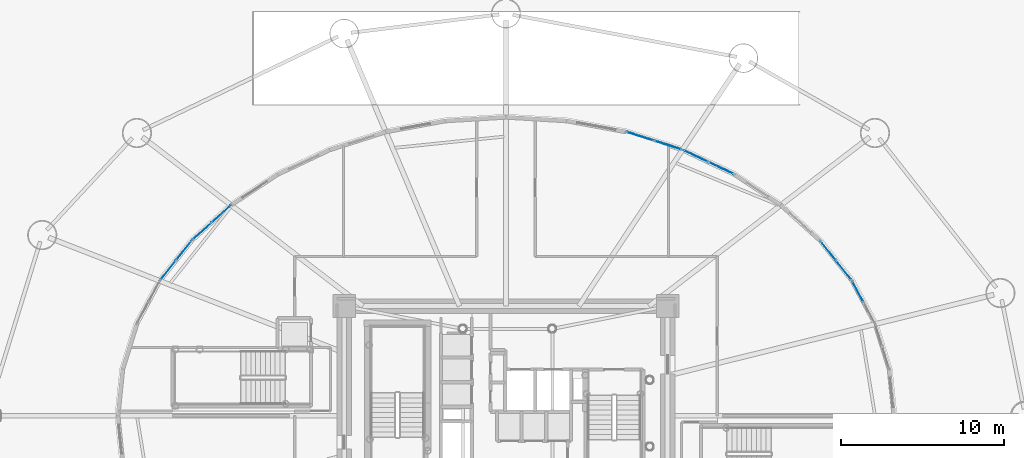
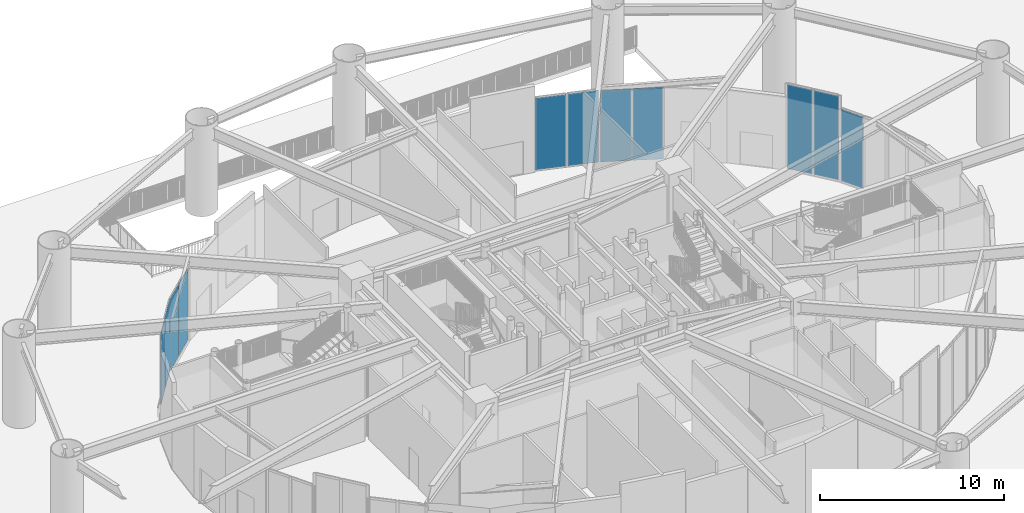
# One storey, part 27 of 46: 11 plates, 6 elements without a shape of their own.
"""IFC4 building model written with IfcOpenShell, lengths in metres."""

from ifc_helpers import new_model, si_unit, direction, frame, origin, origin_2d, place, context, subcontext, project, spatial, rectangle, extrude, source, transform, mapped, material, layer, layer_set, type_object, element, aggregate, save


model = new_model("IFC4")

# Units and contexts
model_context = context("Model", 3, precision=1e-05, world=origin(), true_north=direction((0.0, 1.0)))
body_context = subcontext(model_context, "Body", "Model", "MODEL_VIEW")
ifc_project = project(units=[si_unit("LENGTHUNIT", "METRE"), si_unit("AREAUNIT", "SQUARE_METRE"), si_unit("VOLUMEUNIT", "CUBIC_METRE"), si_unit("PLANEANGLEUNIT", "RADIAN"), si_unit("MASSUNIT", "GRAM", prefix="KILO")], contexts=[model_context])

# Site, building, storey
site_placement = place(None, origin())
site = spatial("IfcSite", under=ifc_project, at=site_placement, CompositionType="ELEMENT")
building_placement = place(site_placement, origin())
building = spatial("IfcBuilding", under=site, at=building_placement, Name="Linh Dai School and Residence Tower", CompositionType="ELEMENT")
storey_placement = place(building_placement, origin())
storey = spatial("IfcBuildingStorey", under=building, at=storey_placement, Name="L00", CompositionType="ELEMENT", Elevation=0.0)

# Curtain wall, plate
ifc_material_1 = material(Name="Aluminium Anodised Curtain Wall", Category="aluminium")
ifc_layer_1 = layer(ifc_material_1, 0.179931640625)
ifc_layer_set_1 = layer_set([ifc_layer_1], Name="Aluminium Anodised Curtain Wall")
curtain_wall_type = type_object("IfcCurtainWallType", Name="CW-SYS-1", PredefinedType="USERDEFINED", material=ifc_layer_set_1)
curtain_wall_1_placement = place(storey_placement, origin())
curtain_wall_1 = element("IfcCurtainWall", 1, at=curtain_wall_1_placement, inside=storey, type_object=curtain_wall_type, Name="L00 CW1 Curtain Wall 03", ObjectType="UNITISED CURTAIN WALL", PredefinedType="USERDEFINED")
ifc_material_2 = material(Name="Double Low-E Insulated Glazing", Category="glass")
ifc_layer_2 = layer(ifc_material_2, 0.031982421875)
ifc_layer_set_2 = layer_set([ifc_layer_2], Name="Double Low-E Insulated Glazing")
plate_type = type_object("IfcPlateType", Name="CW-SYS-1-PAN", PredefinedType="CURTAIN_PANEL", material=ifc_layer_set_2)
shared_shape_1 = source(origin(), body_context, "Body", "SweptSolid", [
    extrude(rectangle(XDim=1.413330078125, YDim=0.031982421875, at=origin_2d()), origin(), (0.0, 0.0, 1.0), 4.7548828125),
])
plate_1_placement = place(storey_placement, frame((57.645263671875, 34.650146484375, 0.06494140625), z_axis=(0.0, 0.0, 1.0), x_axis=(0.473355424568, -0.880871524135, 0.0)))
plate_1 = element("IfcPlate", 2, at=plate_1_placement, type_object=plate_type, Name="CW1 panel 1.1", PredefinedType="CURTAIN_PANEL", context=body_context, shape_type="MappedRepresentation", body=[
    mapped(shared_shape_1, transform((0.0, 0.0, 0.0), x_axis=(1.0, 0.0, 0.0), y_axis=(0.0, 1.0, 0.0), z_axis=(0.0, 0.0, 1.0), scale=1.0)),
])
aggregate(curtain_wall_1, [plate_1])

# Curtain wall, plates
curtain_wall_2_placement = place(storey_placement, origin())
curtain_wall_2 = element("IfcCurtainWall", 3, at=curtain_wall_2_placement, inside=storey, type_object=curtain_wall_type, Name="L00 CW1 Curtain Wall 04", ObjectType="UNITISED CURTAIN WALL", PredefinedType="USERDEFINED")
shared_shape_2 = source(origin(), body_context, "Body", "SweptSolid", [
    extrude(rectangle(XDim=1.472900390625, YDim=0.031982421875, at=origin_2d()), origin(), (0.0, 0.0, 1.0), 5.570068359375),
])
plate_2_placement = place(storey_placement, frame((55.82421875, 37.160888671875, 0.06494140625), z_axis=(0.0, 0.0, 1.0), x_axis=(0.622307564098, -0.782772825069, 0.0)))
plate_2 = element("IfcPlate", 4, at=plate_2_placement, type_object=plate_type, Name="CW1 panel 1.1", PredefinedType="CURTAIN_PANEL", context=body_context, shape_type="MappedRepresentation", body=[
    mapped(shared_shape_2, transform((0.0, 0.0, 0.0), x_axis=(1.0, 0.0, 0.0), y_axis=(0.0, 1.0, 0.0), z_axis=(0.0, 0.0, 1.0), scale=1.0)),
])
plate_3_placement = place(storey_placement, frame((56.78125, 35.957275390625, 0.06494140625), z_axis=(0.0, 0.0, 1.0), x_axis=(0.622307564098, -0.782772825069, 0.0)))
plate_3 = element("IfcPlate", 5, at=plate_3_placement, type_object=plate_type, Name="CW1 panel 2.1", PredefinedType="CURTAIN_PANEL", context=body_context, shape_type="MappedRepresentation", body=[
    mapped(shared_shape_2, transform((0.0, 0.0, 0.0), x_axis=(1.0, 0.0, 0.0), y_axis=(0.0, 1.0, 0.0), z_axis=(0.0, 0.0, 1.0), scale=1.0)),
])
aggregate(curtain_wall_2, [plate_2, plate_3])

curtain_wall_3_placement = place(storey_placement, origin())
curtain_wall_3 = element("IfcCurtainWall", 6, at=curtain_wall_3_placement, inside=storey, type_object=curtain_wall_type, Name="L00 CW1 Curtain Wall 07", ObjectType="UNITISED CURTAIN WALL", PredefinedType="USERDEFINED")
shared_shape_3 = source(origin(), body_context, "Body", "SweptSolid", [
    extrude(rectangle(XDim=1.669677734375, YDim=0.031982421875, at=origin_2d()), origin(), (0.0, 0.0, 1.0), 4.7548828125),
])
plate_4_placement = place(storey_placement, frame((47.66357421875, 42.98291015625, 0.06494140625), z_axis=(0.0, 0.0, 1.0), x_axis=(0.904200631781, -0.427107969356, 0.0)))
plate_4 = element("IfcPlate", 7, at=plate_4_placement, type_object=plate_type, Name="CW1 panel 1.1", PredefinedType="CURTAIN_PANEL", context=body_context, shape_type="MappedRepresentation", body=[
    mapped(shared_shape_3, transform((0.0, 0.0, 0.0), x_axis=(1.0, 0.0, 0.0), y_axis=(0.0, 1.0, 0.0), z_axis=(0.0, 0.0, 1.0), scale=1.0)),
])
plate_5_placement = place(storey_placement, frame((49.232177734375, 42.2421875, 0.06494140625), z_axis=(0.0, 0.0, 1.0), x_axis=(0.904200631781, -0.427107969356, 0.0)))
plate_5 = element("IfcPlate", 8, at=plate_5_placement, type_object=plate_type, Name="CW1 panel 2.1", PredefinedType="CURTAIN_PANEL", context=body_context, shape_type="MappedRepresentation", body=[
    mapped(shared_shape_3, transform((0.0, 0.0, 0.0), x_axis=(1.0, 0.0, 0.0), y_axis=(0.0, 1.0, 0.0), z_axis=(0.0, 0.0, 1.0), scale=1.0)),
])
aggregate(curtain_wall_3, [plate_4, plate_5])

curtain_wall_4_placement = place(storey_placement, origin())
curtain_wall_4 = element("IfcCurtainWall", 9, at=curtain_wall_4_placement, inside=storey, type_object=curtain_wall_type, Name="L00 CW1 Curtain Wall 08", ObjectType="UNITISED CURTAIN WALL", PredefinedType="USERDEFINED")
shared_shape_4 = source(origin(), body_context, "Body", "SweptSolid", [
    extrude(rectangle(XDim=1.720703125, YDim=0.031982421875, at=origin_2d()), origin(), (0.0, 0.0, 1.0), 4.7548828125),
])
plate_6_placement = place(storey_placement, frame((44.267578125, 44.19189453125, 0.06494140625), z_axis=(0.0, 0.0, 1.0), x_axis=(0.95262108849, -0.304159599164, 0.0)))
plate_6 = element("IfcPlate", 10, at=plate_6_placement, type_object=plate_type, Name="CW1 panel 1.1", PredefinedType="CURTAIN_PANEL", context=body_context, shape_type="MappedRepresentation", body=[
    mapped(shared_shape_4, transform((0.0, 0.0, 0.0), x_axis=(1.0, 0.0, 0.0), y_axis=(0.0, 1.0, 0.0), z_axis=(0.0, 0.0, 1.0), scale=1.0)),
])
plate_7_placement = place(storey_placement, frame((45.968505859375, 43.648681640625, 0.06494140625), z_axis=(0.0, 0.0, 1.0), x_axis=(0.95262108849, -0.304159599164, 0.0)))
plate_7 = element("IfcPlate", 11, at=plate_7_placement, type_object=plate_type, Name="CW1 panel 2.1", PredefinedType="CURTAIN_PANEL", context=body_context, shape_type="MappedRepresentation", body=[
    mapped(shared_shape_4, transform((0.0, 0.0, 0.0), x_axis=(1.0, 0.0, 0.0), y_axis=(0.0, 1.0, 0.0), z_axis=(0.0, 0.0, 1.0), scale=1.0)),
])
aggregate(curtain_wall_4, [plate_6, plate_7])

curtain_wall_5_placement = place(storey_placement, origin())
curtain_wall_5 = element("IfcCurtainWall", 12, at=curtain_wall_5_placement, inside=storey, type_object=curtain_wall_type, Name="L00 CW1 Curtain Wall 16", ObjectType="UNITISED CURTAIN WALL", PredefinedType="USERDEFINED")
shared_shape_5 = source(origin(), body_context, "Body", "SweptSolid", [
    extrude(rectangle(XDim=1.5400390625, YDim=0.031982421875, at=origin_2d()), origin(), (0.0, 0.0, 1.0), 4.7548828125),
])
plate_8_placement = place(storey_placement, frame((17.29443359375, 38.34765625, 0.06494140625), z_axis=(0.0, 0.0, 1.0), x_axis=(0.742365890654, 0.669994689825, 0.0)))
plate_8 = element("IfcPlate", 13, at=plate_8_placement, type_object=plate_type, Name="CW1 panel 1.1", PredefinedType="CURTAIN_PANEL", context=body_context, shape_type="MappedRepresentation", body=[
    mapped(shared_shape_5, transform((0.0, 0.0, 0.0), x_axis=(1.0, 0.0, 0.0), y_axis=(0.0, 1.0, 0.0), z_axis=(0.0, 0.0, 1.0), scale=1.0)),
])
plate_9_placement = place(storey_placement, frame((18.48583984375, 39.423095703125, 0.06494140625), z_axis=(0.0, 0.0, 1.0), x_axis=(0.742365890654, 0.669994689825, 0.0)))
plate_9 = element("IfcPlate", 14, at=plate_9_placement, type_object=plate_type, Name="CW1 panel 2.1", PredefinedType="CURTAIN_PANEL", context=body_context, shape_type="MappedRepresentation", body=[
    mapped(shared_shape_5, transform((0.0, 0.0, 0.0), x_axis=(1.0, 0.0, 0.0), y_axis=(0.0, 1.0, 0.0), z_axis=(0.0, 0.0, 1.0), scale=1.0)),
])
aggregate(curtain_wall_5, [plate_8, plate_9])

curtain_wall_6_placement = place(storey_placement, origin())
curtain_wall_6 = element("IfcCurtainWall", 15, at=curtain_wall_6_placement, inside=storey, type_object=curtain_wall_type, Name="L00 CW1 Curtain Wall 17", ObjectType="UNITISED CURTAIN WALL", PredefinedType="USERDEFINED")
shared_shape_6 = source(origin(), body_context, "Body", "SweptSolid", [
    extrude(rectangle(XDim=1.472900390625, YDim=0.031982421875, at=origin_2d()), origin(), (0.0, 0.0, 1.0), 4.7548828125),
])
plate_10_placement = place(storey_placement, frame((15.21875, 35.957275390625, 0.06494140625), z_axis=(0.0, 0.0, 1.0), x_axis=(0.622309515093, 0.782771274016, 0.0)))
plate_10 = element("IfcPlate", 16, at=plate_10_placement, type_object=plate_type, Name="CW1 panel 1.1", PredefinedType="CURTAIN_PANEL", context=body_context, shape_type="MappedRepresentation", body=[
    mapped(shared_shape_6, transform((0.0, 0.0, 0.0), x_axis=(1.0, 0.0, 0.0), y_axis=(0.0, 1.0, 0.0), z_axis=(0.0, 0.0, 1.0), scale=1.0)),
])
plate_11_placement = place(storey_placement, frame((16.17578125, 37.160888671875, 0.06494140625), z_axis=(0.0, 0.0, 1.0), x_axis=(0.622309515093, 0.782771274016, 0.0)))
plate_11 = element("IfcPlate", 17, at=plate_11_placement, type_object=plate_type, Name="CW1 panel 2.1", PredefinedType="CURTAIN_PANEL", context=body_context, shape_type="MappedRepresentation", body=[
    mapped(shared_shape_6, transform((0.0, 0.0, 0.0), x_axis=(1.0, 0.0, 0.0), y_axis=(0.0, 1.0, 0.0), z_axis=(0.0, 0.0, 1.0), scale=1.0)),
])
aggregate(curtain_wall_6, [plate_10, plate_11])

save(model, "model.ifc")
